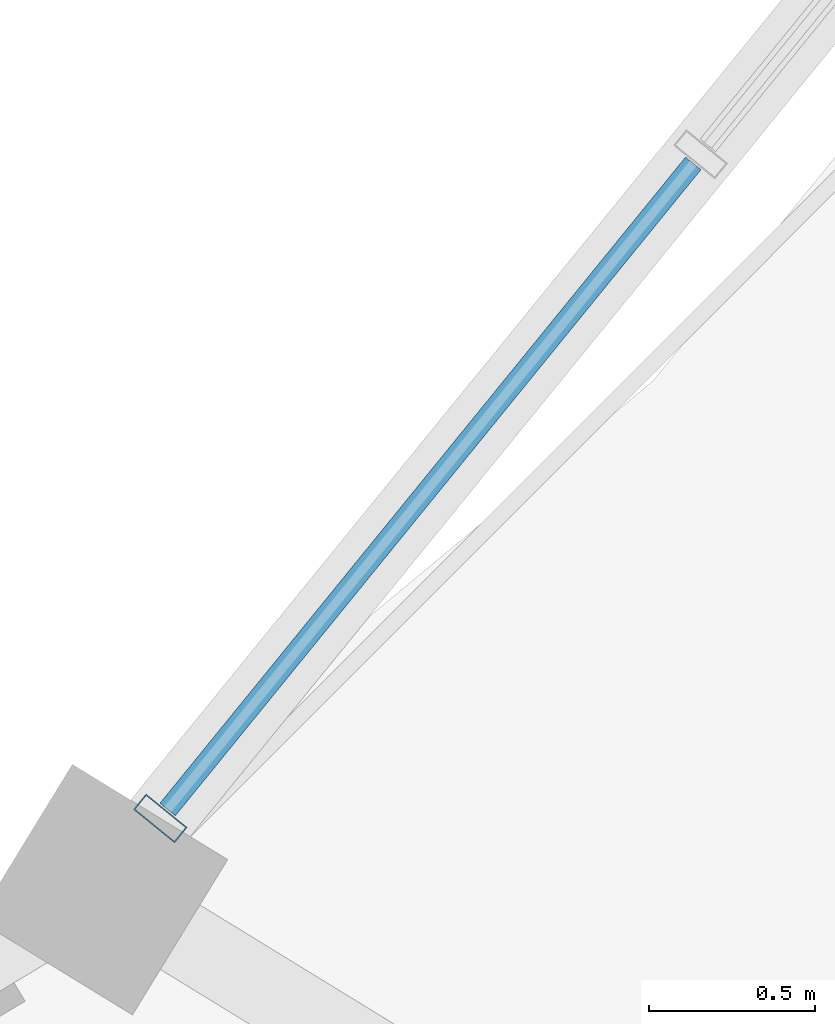
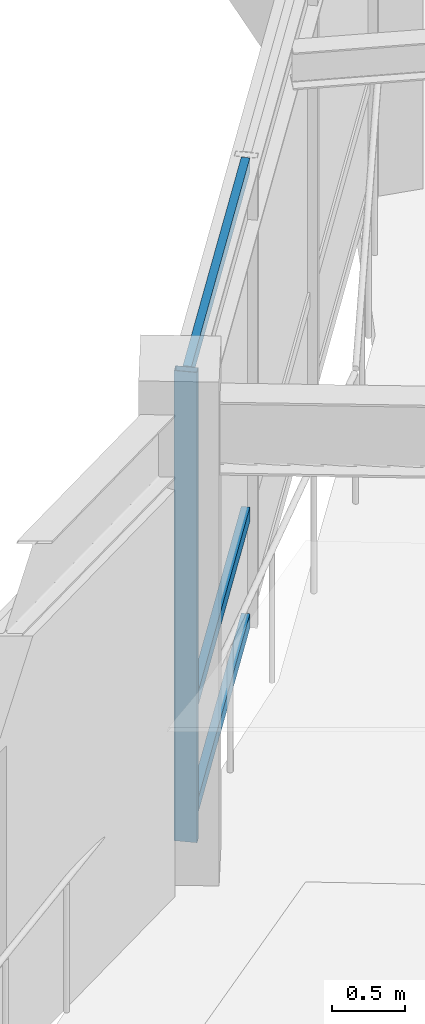
# One storey, part 37 of 83: 4 members, 1 element without a shape of its own.
"""IFC4 building model written with IfcOpenShell, lengths in metres."""

from ifc_helpers import new_model, si_unit, direction, frame, origin, origin_2d, place, context, subcontext, project, spatial, hollow_rectangle, extrude, material, material_profile, profile_set, type_object, element, aggregate, save


model = new_model("IFC4")

# Units and contexts
model_context = context("Model", 3, precision=1e-05, world=origin(), true_north=direction((0.0, 1.0)))
body_context = subcontext(model_context, "Body", "Model", "MODEL_VIEW")
ifc_project = project(units=[si_unit("LENGTHUNIT", "METRE"), si_unit("AREAUNIT", "SQUARE_METRE"), si_unit("VOLUMEUNIT", "CUBIC_METRE"), si_unit("PLANEANGLEUNIT", "RADIAN"), si_unit("MASSUNIT", "GRAM", prefix="KILO"), si_unit("THERMODYNAMICTEMPERATUREUNIT", "KELVIN"), si_unit("POWERUNIT", "WATT")], contexts=[model_context])

# Site, building, storey
site_placement = place(None, origin())
site = spatial("IfcSite", under=ifc_project, at=site_placement, CompositionType="ELEMENT")
building_placement = place(site_placement, origin())
building = spatial("IfcBuilding", under=site, at=building_placement, Name="Darbajah Civic Hall", CompositionType="ELEMENT")
storey_placement = place(building_placement, frame((0.0, 0.0, 18.0)))
storey = spatial("IfcBuildingStorey", under=building, at=storey_placement, Name="L04", CompositionType="ELEMENT", Elevation=18.0)

# Curtain wall, members
ifc_material_1 = material(Name="Anodised Bronze Aluminium and Low-E Glazing", Category="aluminium")
curtain_wall_type = type_object("IfcCurtainWallType", Name="Unitised Curtain Wall CW-75 7800x3900", PredefinedType="USERDEFINED", material=ifc_material_1)
curtain_wall_placement = place(storey_placement, origin())
curtain_wall = element("IfcCurtainWall", 1, at=curtain_wall_placement, inside=storey, type_object=curtain_wall_type, Name="L04 unitised curtain wall CW-V1I-L04-18", ObjectType="UNITISED CURTAIN WALL", PredefinedType="USERDEFINED")
ifc_material_2 = material(Name="Anodised Bronze Aluminium", Category="aluminium")
ifc_material_profile_1 = material_profile(ifc_material_2, hollow_rectangle(XDim=0.06005859375, YDim=0.159912109375, WallThickness=0.00341796875, at=origin_2d()), Name="ALU MULLION 60x160")
ifc_profile_set_1 = profile_set([ifc_material_profile_1], Name="Anodised Bronze Aluminium")
member_type_1 = type_object("IfcMemberType", Name="ALU MULLION 60x160", PredefinedType="MULLION", material=ifc_profile_set_1)
member_1_placement = place(storey_placement, frame((126.620361328125, 78.36328125, 0.0), z_axis=(0.0, 0.0, 1.0), x_axis=(0.63108205791, 0.775716079622, 0.0)))
member_1 = element("IfcMember", 2, at=member_1_placement, type_object=member_type_1, Name="CW-V1I-L04-18 mullion 1", PredefinedType="MULLION", context=body_context, shape_type="SweptSolid", body=[
    extrude(hollow_rectangle(XDim=0.06005859375, YDim=0.159912109375, WallThickness=0.00341796875, at=origin_2d()), origin(), (0.0, 0.0, 1.0), 3.919921875),
])
ifc_material_profile_2 = material_profile(ifc_material_2, hollow_rectangle(XDim=0.06005859375, YDim=0.1201171875, WallThickness=0.003173828125, at=origin_2d()), Name="ALU TRANSOM 60x120")
ifc_profile_set_2 = profile_set([ifc_material_profile_2], Name="Anodised Bronze Aluminium")
member_type_2 = type_object("IfcMemberType", Name="ALU TRANSOM 60x120", PredefinedType="USERDEFINED", material=ifc_profile_set_2)
member_2_placement = place(storey_placement, frame((126.642578125, 78.390380859375, 0.06005859375), z_axis=(0.631078557032, 0.77571892774, 0.0), x_axis=(-0.77571892774, 0.631078557032, 0.0)))
member_2 = element("IfcMember", 3, at=member_2_placement, type_object=member_type_2, Name="CW-V1I-L04-18 transom 1.1", ObjectType="TRANSOM", PredefinedType="USERDEFINED", context=body_context, shape_type="SweptSolid", body=[
    extrude(hollow_rectangle(XDim=0.06005859375, YDim=0.1201171875, WallThickness=0.003173828125, at=origin_2d()), origin(), (0.0, 0.0, 1.0), 2.514892578125),
])
member_3_placement = place(storey_placement, frame((126.642578125, 78.390380859375, 0.949951171875), z_axis=(0.631078557032, 0.77571892774, 0.0), x_axis=(-0.77571892774, 0.631078557032, 0.0)))
member_3 = element("IfcMember", 4, at=member_3_placement, type_object=member_type_2, Name="CW-V1I-L04-18 transom 1.2", ObjectType="TRANSOM", PredefinedType="USERDEFINED", context=body_context, shape_type="SweptSolid", body=[
    extrude(hollow_rectangle(XDim=0.06005859375, YDim=0.1201171875, WallThickness=0.003173828125, at=origin_2d()), origin(), (0.0, 0.0, 1.0), 2.514892578125),
])
member_4_placement = place(storey_placement, frame((126.642578125, 78.390380859375, 3.860107421875), z_axis=(0.631078557032, 0.77571892774, 0.0), x_axis=(-0.77571892774, 0.631078557032, 0.0)))
member_4 = element("IfcMember", 5, at=member_4_placement, type_object=member_type_2, Name="CW-V1I-L04-18 transom 1.3", ObjectType="TRANSOM", PredefinedType="USERDEFINED", context=body_context, shape_type="SweptSolid", body=[
    extrude(hollow_rectangle(XDim=0.06005859375, YDim=0.1201171875, WallThickness=0.003173828125, at=origin_2d()), origin(), (0.0, 0.0, 1.0), 2.514892578125),
])
aggregate(curtain_wall, [member_1, member_2, member_3, member_4])

save(model, "model.ifc")
